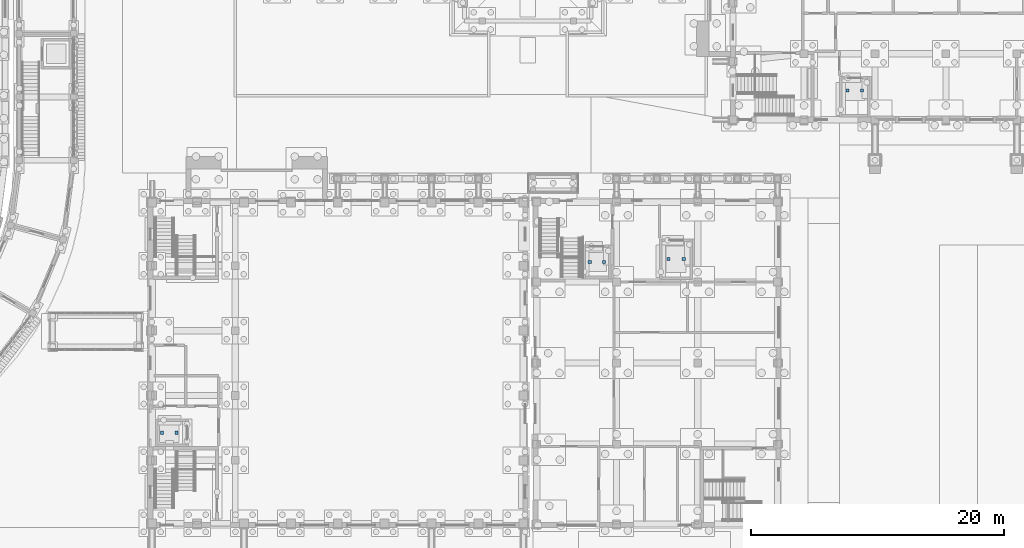
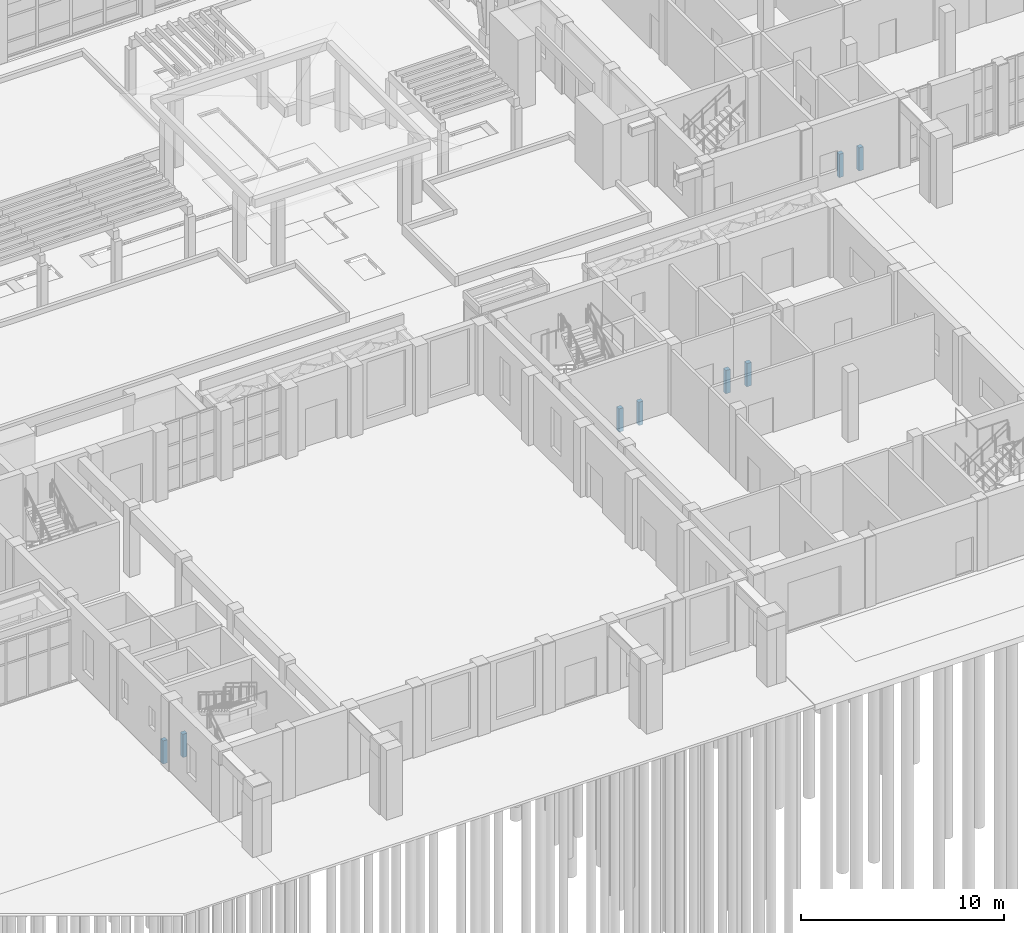
# One storey, part 81 of 112: 8 discrete accessories.
"""IFC4 building model written with IfcOpenShell, lengths in metres."""

from ifc_helpers import new_model, si_unit, direction, frame, origin, origin_2d, place, context, subcontext, project, spatial, rectangle, extrude, element, save


model = new_model("IFC4")

# Units and contexts
model_context = context("Model", 3, precision=1e-05, world=origin(), true_north=direction((0.0, 1.0)))
body_context = subcontext(model_context, "Body", "Model", "MODEL_VIEW")
ifc_project = project(units=[si_unit("LENGTHUNIT", "METRE"), si_unit("AREAUNIT", "SQUARE_METRE"), si_unit("VOLUMEUNIT", "CUBIC_METRE"), si_unit("PLANEANGLEUNIT", "RADIAN"), si_unit("MASSUNIT", "GRAM", prefix="KILO")], contexts=[model_context])

# Site, building, storey
site_placement = place(None, origin())
site = spatial("IfcSite", under=ifc_project, at=site_placement, CompositionType="ELEMENT")
building_placement = place(site_placement, origin())
building = spatial("IfcBuilding", under=site, at=building_placement, Name="Wasatch Bagh Community Centre", CompositionType="ELEMENT")
storey_placement = place(building_placement, origin())
storey = spatial("IfcBuildingStorey", under=building, at=storey_placement, Name="L00", CompositionType="ELEMENT", Elevation=0.0)

# Discrete accessories
for number, where, z_axis, x_axis, name in (
    (1, (121.237548828125, 40.5, -1.39990234375), (0.0, 0.0, 1.0), (1.0, 0.0, 0.0), "Buffer stand"),
    (2, (122.362548828125, 40.5, -1.39990234375), (0.0, 0.0, 1.0), (1.0, 0.0, 0.0), "Buffer stand"),
    (3, (67.137451171875, 13.5, -1.39990234375), (0.0, 0.0, 1.0), (1.0, 0.0, 0.0), "Buffer stand"),
    (4, (68.262451171875, 13.5, -1.39990234375), (0.0, 0.0, 1.0), (1.0, 0.0, 0.0), "Buffer stand"),
    (5, (100.887451171875, 26.97509765625, -1.39990234375), (0.0, 0.0, 1.0), (1.0, 0.0, 0.0), "Buffer stand"),
    (6, (102.012451171875, 26.97509765625, -1.39990234375), (0.0, 0.0, 1.0), (1.0, 0.0, 0.0), "Buffer stand"),
    (7, (107.10009765625, 27.199951171875, -1.39990234375), (0.0, 0.0, 1.0), (1.0, 0.0, 0.0), "Buffer stand"),
    (8, (108.300048828125, 27.199951171875, -1.39990234375), (0.0, 0.0, 1.0), (1.0, 0.0, 0.0), "Buffer stand"),
):
    element("IfcDiscreteAccessory", number, at=place(storey_placement, frame(where, z_axis=z_axis, x_axis=x_axis)), inside=storey, Name=name, PredefinedType="BRACKET", context=body_context, shape_type="SweptSolid", body=[
        extrude(rectangle(XDim=0.25, YDim=0.25, at=origin_2d()), origin(), (0.0, 0.0, 1.0), 1.39990234375),
    ])

save(model, "model.ifc")
